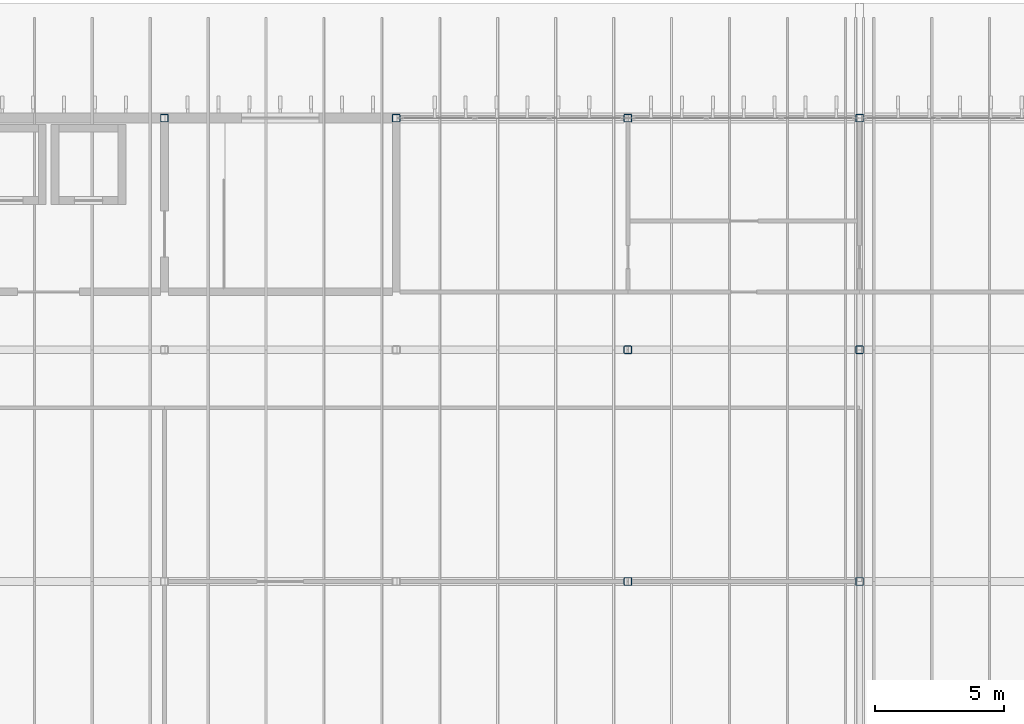
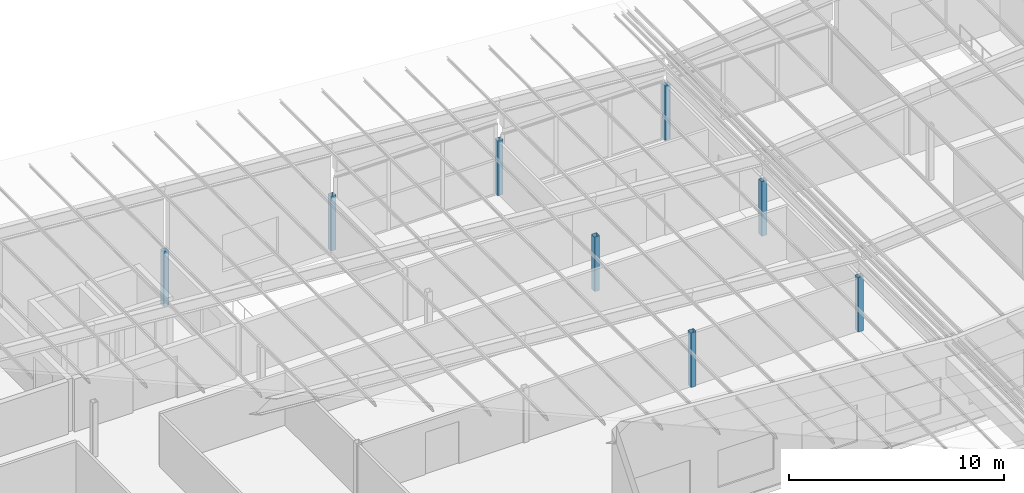
# One storey, part 16 of 85: 8 columns.
"""IFC4 building model written with IfcOpenShell, lengths in metres."""

from ifc_helpers import new_model, si_unit, direction, frame, origin, origin_2d, place, context, subcontext, project, spatial, hollow_rectangle, extrude, material, material_profile, profile_set, type_object, element, save


model = new_model("IFC4")

# Units and contexts
model_context = context("Model", 3, precision=1e-05, world=origin(), true_north=direction((0.0, 1.0)))
body_context = subcontext(model_context, "Body", "Model", "MODEL_VIEW")
ifc_project = project(units=[si_unit("LENGTHUNIT", "METRE"), si_unit("AREAUNIT", "SQUARE_METRE"), si_unit("VOLUMEUNIT", "CUBIC_METRE"), si_unit("PLANEANGLEUNIT", "RADIAN"), si_unit("MASSUNIT", "GRAM", prefix="KILO")], contexts=[model_context])

# Site, building, storey
site_placement = place(None, origin())
site = spatial("IfcSite", under=ifc_project, at=site_placement, CompositionType="ELEMENT")
building_placement = place(site_placement, origin())
building = spatial("IfcBuilding", under=site, at=building_placement, Name="Opaline Strait Convention Centre", CompositionType="ELEMENT")
storey_placement = place(building_placement, frame((0.0, 0.0, 17.0)))
storey = spatial("IfcBuildingStorey", under=building, at=storey_placement, Name="L03", CompositionType="ELEMENT", Elevation=17.0)

# Columns
ifc_material = material(Name="Steel Q355B", Category="steel")
ifc_material_profile = material_profile(ifc_material, hollow_rectangle(XDim=0.300048828125, YDim=0.300048828125, WallThickness=0.011962890625, InnerFilletRadius=0.02392578125, OuterFilletRadius=0.035888671875, at=origin_2d()), Name="RHS 300x300x12")
ifc_profile_set = profile_set([ifc_material_profile], Name="Steel Q355B")
column_type = type_object("IfcColumnType", Name="Roof post RHS 300x300x12", PredefinedType="COLUMN", material=ifc_profile_set)
for number, where, z_axis, x_axis, name in (
    (1, (297.0, 180.0, 0.0), (0.0, 0.0, 1.0), (1.0, 0.0, 0.0), "MRS1 roof post at 34/W"),
    (2, (306.0, 180.0, 0.0), (0.0, 0.0, 1.0), (1.0, 0.0, 0.0), "MRS1 roof post at 35/W"),
    (3, (315.0, 162.0, 0.0), (0.0, 0.0, 1.0), (1.0, 0.0, 0.0), "MRS1 roof post at 36/U"),
    (4, (315.0, 171.0, 0.0), (0.0, 0.0, 1.0), (1.0, 0.0, 0.0), "MRS1 roof post at 36/V"),
    (5, (315.0, 180.0, 0.0), (0.0, 0.0, 1.0), (1.0, 0.0, 0.0), "MRS1 roof post at 36/W"),
    (6, (324.0, 162.0, 0.0), (0.0, 0.0, 1.0), (1.0, 0.0, 0.0), "MRS1 roof post at 37/U"),
    (7, (324.0, 171.0, 0.0), (0.0, 0.0, 1.0), (1.0, 0.0, 0.0), "MRS1 roof post at 37/V"),
    (8, (324.0, 180.0, 0.0), (0.0, 0.0, 1.0), (1.0, 0.0, 0.0), "MRS1 roof post at 37/W"),
):
    element("IfcColumn", number, at=place(storey_placement, frame(where, z_axis=z_axis, x_axis=x_axis)), inside=storey, type_object=column_type, Name=name, PredefinedType="COLUMN", context=body_context, shape_type="SweptSolid", body=[
        extrude(hollow_rectangle(XDim=0.300048828125, YDim=0.300048828125, WallThickness=0.011962890625, InnerFilletRadius=0.02392578125, OuterFilletRadius=0.035888671875, at=origin_2d()), origin(), (0.0, 0.0, 1.0), 3.10009765625),
    ])

save(model, "model.ifc")
